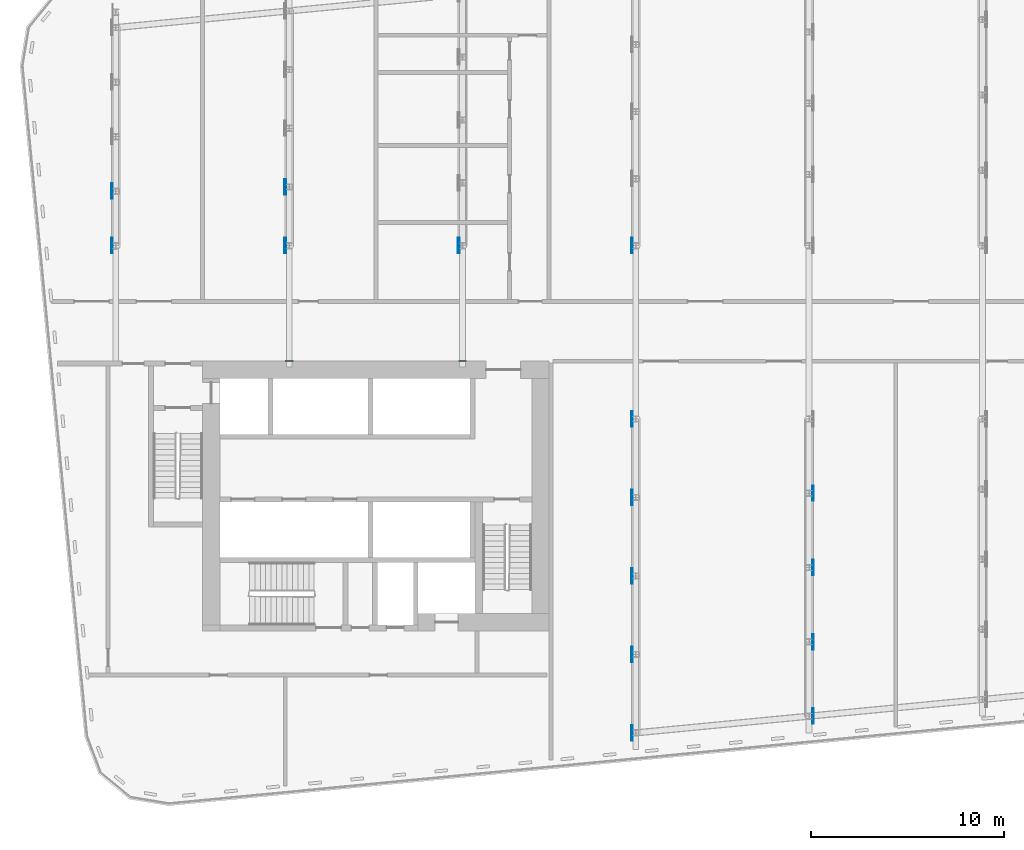
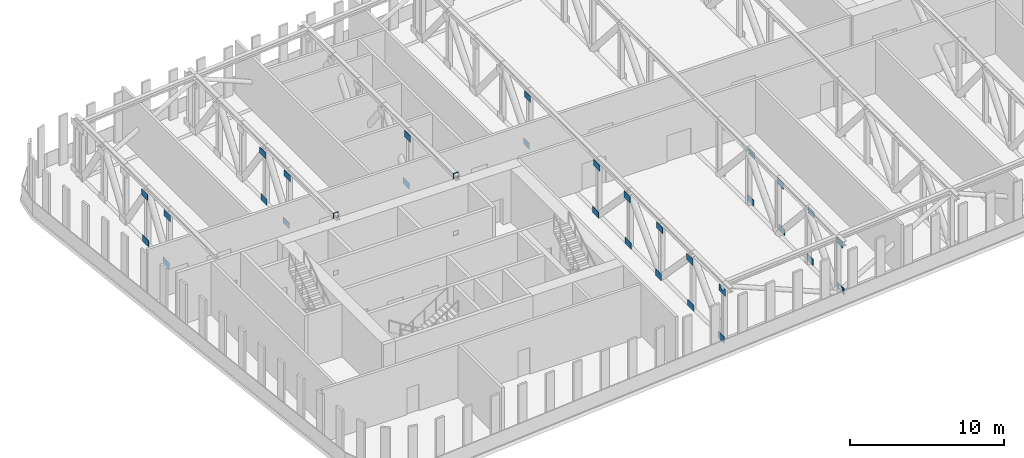
# One storey, part 12 of 22: 34 discrete accessories.
"""IFC4 building model written with IfcOpenShell, lengths in metres."""

from ifc_helpers import new_model, si_unit, direction, frame, origin, place, context, subcontext, project, spatial, polyline, outline, extrude, material, layer, layer_set, type_object, element, save


model = new_model("IFC4")

# Units and contexts
model_context = context("Model", 3, precision=1e-05, world=origin(), true_north=direction((0.0, 1.0)))
body_context = subcontext(model_context, "Body", "Model", "MODEL_VIEW")
ifc_project = project(units=[si_unit("LENGTHUNIT", "METRE"), si_unit("AREAUNIT", "SQUARE_METRE"), si_unit("VOLUMEUNIT", "CUBIC_METRE"), si_unit("PLANEANGLEUNIT", "RADIAN"), si_unit("MASSUNIT", "GRAM", prefix="KILO")], contexts=[model_context])

# Site, building, storey
site_placement = place(None, origin())
site = spatial("IfcSite", under=ifc_project, at=site_placement, CompositionType="ELEMENT")
building_placement = place(site_placement, origin())
building = spatial("IfcBuilding", under=site, at=building_placement, Name="Kajstack Hotel Tower", CompositionType="ELEMENT")
storey_placement = place(building_placement, frame((0.0, 0.0, 150.39990234375)))
storey = spatial("IfcBuildingStorey", under=building, at=storey_placement, Name="L35", CompositionType="ELEMENT", Elevation=150.39990234375)

# Discrete accessories
ifc_material = material(Name="Steel S355J2", Category="steel")
ifc_layer_1 = layer(ifc_material, 0.02490234375)
ifc_layer_set_1 = layer_set([ifc_layer_1], Name="CAST-IN PLATE")
discrete_accessory_type_1 = type_object("IfcDiscreteAccessoryType", Name="CAST-IN PLATE", PredefinedType="BRACKET", material=ifc_layer_set_1)
discrete_accessory_1_placement = place(storey_placement, frame((-18.0, -1.5, -0.14501953125), z_axis=(0.0, 1.0, 0.0), x_axis=(-1.0, 0.0, 0.0)))
element("IfcDiscreteAccessory", 1, at=discrete_accessory_1_placement, inside=storey, type_object=discrete_accessory_type_1, Name="Cast-in plate L35-015", PredefinedType="BRACKET", context=body_context, shape_type="SweptSolid", body=[
    extrude(outline(polyline([(-0.199951171875, -0.195068359375), (0.199951171875, -0.195068359375), (0.199951171875, 0.195068359375), (-0.199951171875, 0.195068359375), (-0.199951171875, -0.195068359375)]), holes=[polyline([(-0.14990234375, -0.14501953125), (-0.14990234375, 0.14501953125), (0.14990234375, 0.14501953125), (0.14990234375, -0.14501953125), (-0.14990234375, -0.14501953125)])]), origin(), (0.0, 0.0, 1.0), 0.02490234375),
])
discrete_accessory_2_placement = place(storey_placement, frame((-18.0, -1.5, 4.420166015625), z_axis=(0.0, 1.0, 0.0), x_axis=(-1.0, 0.0, 0.0)))
element("IfcDiscreteAccessory", 2, at=discrete_accessory_2_placement, inside=storey, type_object=discrete_accessory_type_1, Name="Cast-in plate L35-016", PredefinedType="BRACKET", context=body_context, shape_type="SweptSolid", body=[
    extrude(outline(polyline([(-0.199951171875, -0.22998046875), (0.199951171875, -0.22998046875), (0.199951171875, 0.22998046875), (-0.199951171875, 0.22998046875), (-0.199951171875, -0.22998046875)]), holes=[polyline([(-0.14990234375, -0.179931640625), (-0.14990234375, 0.179931640625), (0.14990234375, 0.179931640625), (0.14990234375, -0.179931640625), (-0.14990234375, -0.179931640625)])]), origin(), (0.0, 0.0, 1.0), 0.02490234375),
])
discrete_accessory_3_placement = place(storey_placement, frame((-27.0, -1.5, -0.14501953125), z_axis=(0.0, 1.0, 0.0), x_axis=(-1.0, 0.0, 0.0)))
element("IfcDiscreteAccessory", 3, at=discrete_accessory_3_placement, inside=storey, type_object=discrete_accessory_type_1, Name="Cast-in plate L35-017", PredefinedType="BRACKET", context=body_context, shape_type="SweptSolid", body=[
    extrude(outline(polyline([(-0.199951171875, -0.195068359375), (0.199951171875, -0.195068359375), (0.199951171875, 0.195068359375), (-0.199951171875, 0.195068359375), (-0.199951171875, -0.195068359375)]), holes=[polyline([(-0.14990234375, -0.14501953125), (-0.14990234375, 0.14501953125), (0.14990234375, 0.14501953125), (0.14990234375, -0.14501953125), (-0.14990234375, -0.14501953125)])]), origin(), (0.0, 0.0, 1.0), 0.02490234375),
])
discrete_accessory_4_placement = place(storey_placement, frame((-27.0, -1.5, 4.420166015625), z_axis=(0.0, 1.0, 0.0), x_axis=(-1.0, 0.0, 0.0)))
element("IfcDiscreteAccessory", 4, at=discrete_accessory_4_placement, inside=storey, type_object=discrete_accessory_type_1, Name="Cast-in plate L35-018", PredefinedType="BRACKET", context=body_context, shape_type="SweptSolid", body=[
    extrude(outline(polyline([(-0.199951171875, -0.22998046875), (0.199951171875, -0.22998046875), (0.199951171875, 0.22998046875), (-0.199951171875, 0.22998046875), (-0.199951171875, -0.22998046875)]), holes=[polyline([(-0.14990234375, -0.179931640625), (-0.14990234375, 0.179931640625), (0.14990234375, 0.179931640625), (0.14990234375, -0.179931640625), (-0.14990234375, -0.179931640625)])]), origin(), (0.0, 0.0, 1.0), 0.02490234375),
])
ifc_layer_2 = layer(ifc_material, 0.02001953125)
ifc_layer_set_2 = layer_set([ifc_layer_2], Name="GUSSET PLATE")
discrete_accessory_type_2 = type_object("IfcDiscreteAccessoryType", Name="GUSSET PLATE", PredefinedType="BRACKET", material=ifc_layer_set_2)
for number, where, z_axis, x_axis, name in (
    (5, (-36.24853515625, 4.5, 0.0), (1.0, 0.0, 0.0), (0.0, 1.0, 0.0), "Gusset plate L35-312"),
    (6, (-36.169921875, 4.5, 3.7001953125), (1.0, 0.0, 0.0), (0.0, 1.0, 0.0), "Gusset plate L35-313"),
    (7, (-36.169921875, 7.330810546875, 0.0), (1.0, 0.0, 0.0), (0.0, 1.0, 0.0), "Gusset plate L35-314"),
    (8, (-36.24853515625, 7.330810546875, 3.7001953125), (1.0, 0.0, 0.0), (0.0, 1.0, 0.0), "Gusset plate L35-315"),
    (9, (-27.24853515625, 4.5, 0.0), (1.0, 0.0, 0.0), (0.0, 1.0, 0.0), "Gusset plate L35-324"),
    (10, (-27.169921875, 4.5, 3.7001953125), (1.0, 0.0, 0.0), (0.0, 1.0, 0.0), "Gusset plate L35-325"),
    (11, (-27.169921875, 7.54736328125, 0.0), (1.0, 0.0, 0.0), (0.0, 1.0, 0.0), "Gusset plate L35-326"),
    (12, (-27.24853515625, 7.54736328125, 3.7001953125), (1.0, 0.0, 0.0), (0.0, 1.0, 0.0), "Gusset plate L35-327"),
    (13, (-18.24853515625, 4.5, 0.0), (1.0, 0.0, 0.0), (0.0, 1.0, 0.0), "Gusset plate L35-336"),
    (14, (-18.169921875, 4.5, 3.7001953125), (1.0, 0.0, 0.0), (0.0, 1.0, 0.0), "Gusset plate L35-337"),
    (15, (-9.24853515625, -20.799072265625, 0.0), (1.0, 0.0, 0.0), (0.0, 1.0, 0.0), "Gusset plate L35-348"),
):
    element("IfcDiscreteAccessory", number, at=place(storey_placement, frame(where, z_axis=z_axis, x_axis=x_axis)), inside=storey, type_object=discrete_accessory_type_2, Name=name, PredefinedType="BRACKET", context=body_context, shape_type="SweptSolid", body=[
        extrude(outline(polyline([(-0.39990234375, 0.0), (0.39990234375, 0.0), (0.39990234375, 0.5), (-0.39990234375, 0.5), (-0.39990234375, 0.0)])), origin(), (0.0, 0.0, 1.0), 0.02001953125),
    ])
discrete_accessory_5_placement = place(storey_placement, frame((-9.169921875, -20.799072265625, 3.7001953125), z_axis=(1.0, 0.0, 0.0), x_axis=(0.0, 1.0, 0.0)))
element("IfcDiscreteAccessory", 16, at=discrete_accessory_5_placement, inside=storey, type_object=discrete_accessory_type_2, Name="Gusset plate L35-349", PredefinedType="BRACKET", context=body_context, shape_type="SweptSolid", body=[
    extrude(outline(polyline([(0.39990234375, 0.5), (0.247802734375, 0.5), (0.2470703125, 0.47412109375), (0.24365234375, 0.450927734375), (0.238037109375, 0.427978515625), (0.230224609375, 0.406005859375), (0.220458984375, 0.384765625), (0.20849609375, 0.364501953125), (0.194580078125, 0.345458984375), (0.178955078125, 0.328125), (0.16162109375, 0.312255859375), (0.142822265625, 0.298095703125), (0.122802734375, 0.285888671875), (0.1015625, 0.27587890625), (0.07958984375, 0.267822265625), (0.056884765625, 0.261962890625), (0.03369140625, 0.258544921875), (0.01025390625, 0.257080078125), (-0.01318359375, 0.25830078125), (-0.036376953125, 0.261474609375), (-0.059326171875, 0.26708984375), (-0.081298828125, 0.27490234375), (-0.1025390625, 0.284912109375), (-0.122802734375, 0.296875), (-0.141845703125, 0.310546875), (-0.1591796875, 0.326416015625), (-0.175048828125, 0.343505859375), (-0.189208984375, 0.3623046875), (-0.201171875, 0.38232421875), (-0.21142578125, 0.403564453125), (-0.219482421875, 0.425537109375), (-0.225341796875, 0.4482421875), (-0.23583984375, 0.5), (-0.39990234375, 0.5), (-0.39990234375, 0.0), (0.39990234375, 0.0), (0.39990234375, 0.5)])), origin(), (0.0, 0.0, 1.0), 0.02001953125),
])
for number, where, z_axis, x_axis, name in (
    (17, (-9.169921875, -16.724365234375, 0.0), (1.0, 0.0, 0.0), (0.0, 1.0, 0.0), "Gusset plate L35-350"),
    (18, (-9.24853515625, -16.724365234375, 3.7001953125), (1.0, 0.0, 0.0), (0.0, 1.0, 0.0), "Gusset plate L35-351"),
    (19, (-9.24853515625, -12.6494140625, 0.0), (1.0, 0.0, 0.0), (0.0, 1.0, 0.0), "Gusset plate L35-352"),
    (20, (-9.169921875, -12.6494140625, 3.7001953125), (1.0, 0.0, 0.0), (0.0, 1.0, 0.0), "Gusset plate L35-353"),
    (21, (-9.169921875, -8.57470703125, 0.0), (1.0, 0.0, 0.0), (0.0, 1.0, 0.0), "Gusset plate L35-354"),
    (22, (-9.24853515625, -8.57470703125, 3.7001953125), (1.0, 0.0, 0.0), (0.0, 1.0, 0.0), "Gusset plate L35-355"),
    (23, (-9.24853515625, -4.5, 0.0), (1.0, 0.0, 0.0), (0.0, 1.0, 0.0), "Gusset plate L35-356"),
    (24, (-9.169921875, -4.5, 3.7001953125), (1.0, 0.0, 0.0), (0.0, 1.0, 0.0), "Gusset plate L35-357"),
    (25, (-9.24853515625, 4.5, 0.0), (1.0, 0.0, 0.0), (0.0, 1.0, 0.0), "Gusset plate L35-358"),
    (26, (-9.169921875, 4.5, 3.7001953125), (1.0, 0.0, 0.0), (0.0, 1.0, 0.0), "Gusset plate L35-359"),
):
    element("IfcDiscreteAccessory", number, at=place(storey_placement, frame(where, z_axis=z_axis, x_axis=x_axis)), inside=storey, type_object=discrete_accessory_type_2, Name=name, PredefinedType="BRACKET", context=body_context, shape_type="SweptSolid", body=[
        extrude(outline(polyline([(-0.39990234375, 0.0), (0.39990234375, 0.0), (0.39990234375, 0.5), (-0.39990234375, 0.5), (-0.39990234375, 0.0)])), origin(), (0.0, 0.0, 1.0), 0.02001953125),
    ])
discrete_accessory_6_placement = place(storey_placement, frame((0.228515625, -19.9326171875, 0.0), z_axis=(1.0, 0.0, 0.0), x_axis=(0.0, 1.0, 0.0)))
element("IfcDiscreteAccessory", 27, at=discrete_accessory_6_placement, inside=storey, type_object=discrete_accessory_type_2, Name="Gusset plate L35-370", PredefinedType="BRACKET", context=body_context, shape_type="SweptSolid", body=[
    extrude(outline(polyline([(-0.39990234375, 0.0), (-0.240234375, 0.0), (-0.239501953125, 0.029052734375), (-0.236083984375, 0.05224609375), (-0.22607421875, 0.08740234375), (-0.186767578125, 0.279296875), (-0.18115234375, 0.302001953125), (-0.173095703125, 0.32421875), (-0.162841796875, 0.34521484375), (-0.150634765625, 0.365478515625), (-0.13671875, 0.384033203125), (-0.120849609375, 0.4013671875), (-0.103271484375, 0.4169921875), (-0.08447265625, 0.430908203125), (-0.064208984375, 0.44287109375), (-0.04296875, 0.452880859375), (-0.020751953125, 0.460693359375), (0.001953125, 0.46630859375), (0.025146484375, 0.469482421875), (0.048583984375, 0.470458984375), (0.072021484375, 0.46923828125), (0.09521484375, 0.4658203125), (0.117919921875, 0.4599609375), (0.139892578125, 0.451904296875), (0.1611328125, 0.441650390625), (0.18115234375, 0.4296875), (0.199951171875, 0.41552734375), (0.21728515625, 0.399658203125), (0.23291015625, 0.382080078125), (0.246826171875, 0.36328125), (0.2587890625, 0.343017578125), (0.2685546875, 0.32177734375), (0.2763671875, 0.2998046875), (0.281982421875, 0.27685546875), (0.285400390625, 0.253662109375), (0.286376953125, 0.230224609375), (0.28515625, 0.206787109375), (0.281494140625, 0.18359375), (0.243896484375, 0.0), (0.39990234375, 0.0), (0.39990234375, 0.5), (-0.39990234375, 0.5), (-0.39990234375, 0.0)])), origin(), (0.0, 0.0, 1.0), 0.02001953125),
])
for number, where, z_axis, x_axis, name in (
    (28, (0.14990234375, -19.9326171875, 3.7001953125), (1.0, 0.0, 0.0), (0.0, 1.0, 0.0), "Gusset plate L35-371"),
    (29, (0.14990234375, -16.074462890625, 0.0), (1.0, 0.0, 0.0), (0.0, 1.0, 0.0), "Gusset plate L35-372"),
    (30, (0.228515625, -16.074462890625, 3.7001953125), (1.0, 0.0, 0.0), (0.0, 1.0, 0.0), "Gusset plate L35-373"),
    (31, (0.228515625, -12.21630859375, 0.0), (1.0, 0.0, 0.0), (0.0, 1.0, 0.0), "Gusset plate L35-374"),
    (32, (0.14990234375, -12.21630859375, 3.7001953125), (1.0, 0.0, 0.0), (0.0, 1.0, 0.0), "Gusset plate L35-375"),
    (33, (0.14990234375, -8.358154296875, 0.0), (1.0, 0.0, 0.0), (0.0, 1.0, 0.0), "Gusset plate L35-376"),
    (34, (0.228515625, -8.358154296875, 3.7001953125), (1.0, 0.0, 0.0), (0.0, 1.0, 0.0), "Gusset plate L35-377"),
):
    element("IfcDiscreteAccessory", number, at=place(storey_placement, frame(where, z_axis=z_axis, x_axis=x_axis)), inside=storey, type_object=discrete_accessory_type_2, Name=name, PredefinedType="BRACKET", context=body_context, shape_type="SweptSolid", body=[
        extrude(outline(polyline([(-0.39990234375, 0.0), (0.39990234375, 0.0), (0.39990234375, 0.5), (-0.39990234375, 0.5), (-0.39990234375, 0.0)])), origin(), (0.0, 0.0, 1.0), 0.02001953125),
    ])

save(model, "model.ifc")
